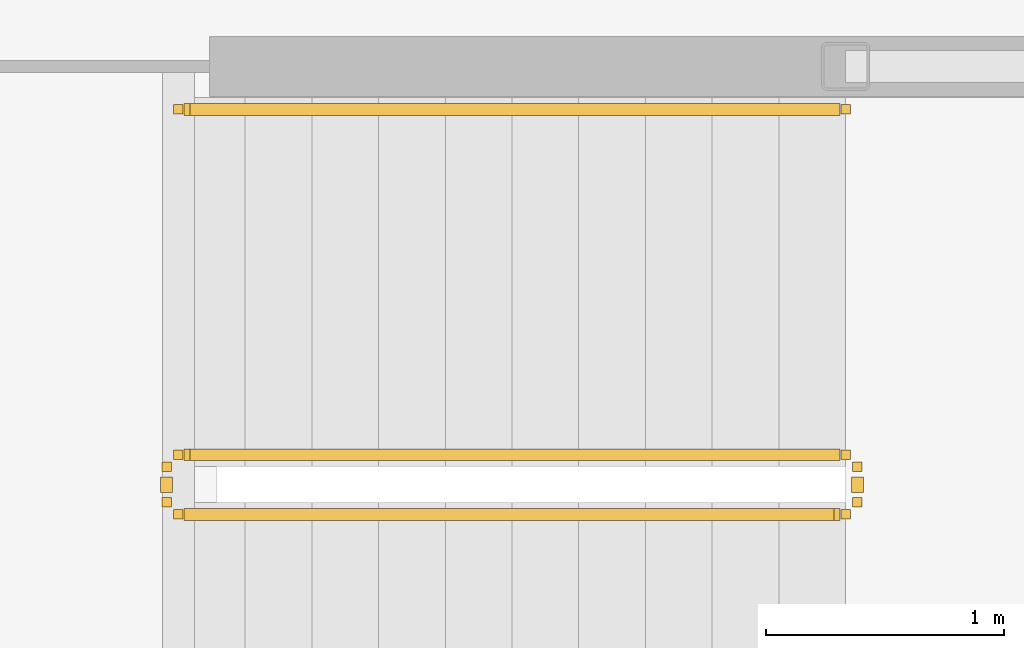
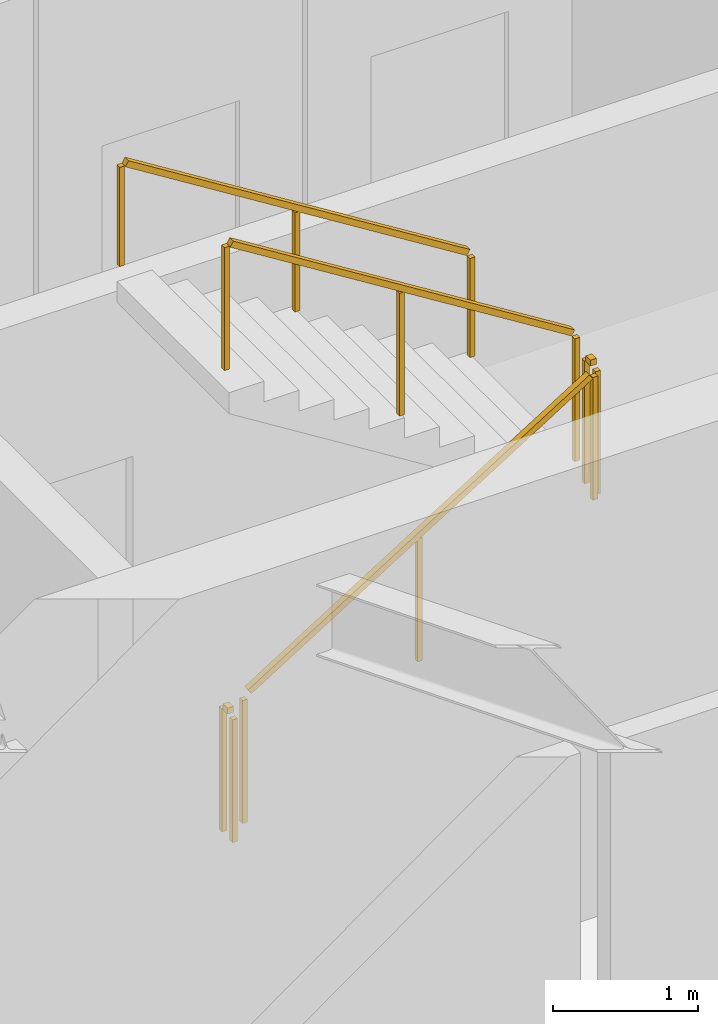
# One storey, part 27 of 30: 5 railings.
"""IFC4 building model written with IfcOpenShell, lengths in metres."""

from ifc_helpers import new_model, si_unit, direction, frame, origin, origin_2d, place, context, subcontext, project, spatial, rectangle, extrude, material, type_object, element, save


model = new_model("IFC4")

# Units and contexts
model_context = context("Model", 3, precision=1e-05, world=origin(), true_north=direction((0.0, 1.0)))
body_context = subcontext(model_context, "Body", "Model", "MODEL_VIEW")
ifc_project = project(units=[si_unit("LENGTHUNIT", "METRE"), si_unit("AREAUNIT", "SQUARE_METRE"), si_unit("VOLUMEUNIT", "CUBIC_METRE"), si_unit("PLANEANGLEUNIT", "RADIAN"), si_unit("MASSUNIT", "GRAM", prefix="KILO")], contexts=[model_context])

# Site, building, storey
site_placement = place(None, origin())
site = spatial("IfcSite", under=ifc_project, at=site_placement, CompositionType="ELEMENT")
building_placement = place(site_placement, origin())
building = spatial("IfcBuilding", under=site, at=building_placement, Name="Kazma Halo Residences", CompositionType="ELEMENT")
storey_placement = place(building_placement, frame((0.0, 0.0, 290.60009765625)))
storey = spatial("IfcBuildingStorey", under=building, at=storey_placement, Name="L73", CompositionType="ELEMENT", Elevation=290.60009765625)

# Railings
ifc_material_1 = material(Name="Painted Steel S355", Category="steel")
railing_type_1 = type_object("IfcRailingType", Name="RLG-STAIR-GRD-1100", PredefinedType="GUARDRAIL", material=ifc_material_1)
railing_1_placement = place(storey_placement, frame((53.199951171875, 35.5, 0.1748046875)))
element("IfcRailing", 1, at=railing_1_placement, inside=storey, type_object=railing_type_1, Name="L73 ST-03 stair guard 1", PredefinedType="GUARDRAIL", context=body_context, shape_type="SweptSolid", body=[
    extrude(rectangle(XDim=0.050048828125, YDim=0.050048828125, at=origin_2d()), frame((0.0361328125, 0.0, 1.09765625), z_axis=(0.848002457836, 0.0, 0.529992293815), x_axis=(0.0, 1.0, 0.0)), (0.0, 0.0, 1.0), 3.216796875),
    extrude(rectangle(XDim=0.0400390625, YDim=0.0400390625, at=origin_2d()), origin(), (0.0, 0.0, 1.0), 1.0380859375),
    extrude(rectangle(XDim=0.0400390625, YDim=0.0400390625, at=origin_2d()), frame((1.39990234375, 0.0, 0.875)), (0.0, 0.0, 1.0), 1.0380859375),
    extrude(rectangle(XDim=0.0400390625, YDim=0.0400390625, at=origin_2d()), frame((2.800048828125, 0.0, 1.75)), (0.0, 0.0, 1.0), 1.0380859375),
])
railing_2_placement = place(storey_placement, frame((56.050048828125, 35.550048828125, 1.9248046875)))
element("IfcRailing", 2, at=railing_2_placement, inside=storey, type_object=railing_type_1, Name="L73 ST-03 stair guard 2", PredefinedType="GUARDRAIL", context=body_context, shape_type="SweptSolid", body=[
    extrude(rectangle(XDim=0.050048828125, YDim=0.050048828125, at=origin_2d()), frame((0.0, 0.04248046875, 1.0751953125), z_axis=(0.0, 1.0, 0.0), x_axis=(-1.0, 0.0, 0.0)), (0.0, 0.0, 1.0), 0.06494140625),
    extrude(rectangle(XDim=0.0400390625, YDim=0.0400390625, at=origin_2d()), origin(), (0.0, 0.0, 1.0), 1.0380859375),
    extrude(rectangle(XDim=0.0400390625, YDim=0.0400390625, at=origin_2d()), frame((0.0, 0.14990234375, 0.0)), (0.0, 0.0, 1.0), 1.0380859375),
])
railing_3_placement = place(storey_placement, frame((56.0, 35.75, 2.099853515625)))
element("IfcRailing", 3, at=railing_3_placement, inside=storey, type_object=railing_type_1, Name="L73 ST-03 stair guard 3", PredefinedType="GUARDRAIL", context=body_context, shape_type="SweptSolid", body=[
    extrude(rectangle(XDim=0.050048828125, YDim=0.050048828125, at=origin_2d()), frame((-0.0361328125, 0.0, 1.09765625), z_axis=(-0.848002457836, 0.0, 0.529992293815), x_axis=(0.0, -1.0, 0.0)), (0.0, 0.0, 1.0), 3.216796875),
    extrude(rectangle(XDim=0.0400390625, YDim=0.0400390625, at=origin_2d()), origin(), (0.0, 0.0, 1.0), 1.0380859375),
    extrude(rectangle(XDim=0.0400390625, YDim=0.0400390625, at=origin_2d()), frame((-1.39990234375, 0.0, 0.875)), (0.0, 0.0, 1.0), 1.0380859375),
    extrude(rectangle(XDim=0.0400390625, YDim=0.0400390625, at=origin_2d()), frame((-2.800048828125, 0.0, 1.75)), (0.0, 0.0, 1.0), 1.0380859375),
])
railing_4_placement = place(storey_placement, frame((53.14990234375, 35.550048828125, 0.0)))
element("IfcRailing", 4, at=railing_4_placement, inside=storey, type_object=railing_type_1, Name="L73 ST-03 stair guard 4", PredefinedType="GUARDRAIL", context=body_context, shape_type="SweptSolid", body=[
    extrude(rectangle(XDim=0.050048828125, YDim=0.050048828125, at=origin_2d()), frame((0.0, 0.04248046875, 1.0751953125), z_axis=(0.0, 1.0, 0.0), x_axis=(-1.0, 0.0, 0.0)), (0.0, 0.0, 1.0), 0.06494140625),
    extrude(rectangle(XDim=0.0400390625, YDim=0.0400390625, at=origin_2d()), origin(), (0.0, 0.0, 1.0), 1.0380859375),
    extrude(rectangle(XDim=0.0400390625, YDim=0.0400390625, at=origin_2d()), frame((0.0, 0.14990234375, 0.0)), (0.0, 0.0, 1.0), 1.0380859375),
])
ifc_material_2 = material(Name="Brushed Stainless Steel", Category="steel")
railing_type_2 = type_object("IfcRailingType", Name="RLG-STAIR-HND-900", PredefinedType="HANDRAIL", material=ifc_material_2)
railing_5_placement = place(storey_placement, frame((56.0, 37.199951171875, 2.099853515625)))
element("IfcRailing", 5, at=railing_5_placement, inside=storey, type_object=railing_type_2, Name="L73 ST-03 stair handrail 2", PredefinedType="HANDRAIL", context=body_context, shape_type="SweptSolid", body=[
    extrude(rectangle(XDim=0.050048828125, YDim=0.050048828125, at=origin_2d()), frame((-0.0361328125, 0.0, 0.8974609375), z_axis=(-0.848002457836, 0.0, 0.529992293815), x_axis=(0.0, -1.0, 0.0)), (0.0, 0.0, 1.0), 3.216796875),
    extrude(rectangle(XDim=0.0400390625, YDim=0.0400390625, at=origin_2d()), origin(), (0.0, 0.0, 1.0), 0.837890625),
    extrude(rectangle(XDim=0.0400390625, YDim=0.0400390625, at=origin_2d()), frame((-1.39990234375, 0.0, 0.875)), (0.0, 0.0, 1.0), 0.837890625),
    extrude(rectangle(XDim=0.0400390625, YDim=0.0400390625, at=origin_2d()), frame((-2.800048828125, 0.0, 1.75)), (0.0, 0.0, 1.0), 0.837890625),
])

save(model, "model.ifc")
